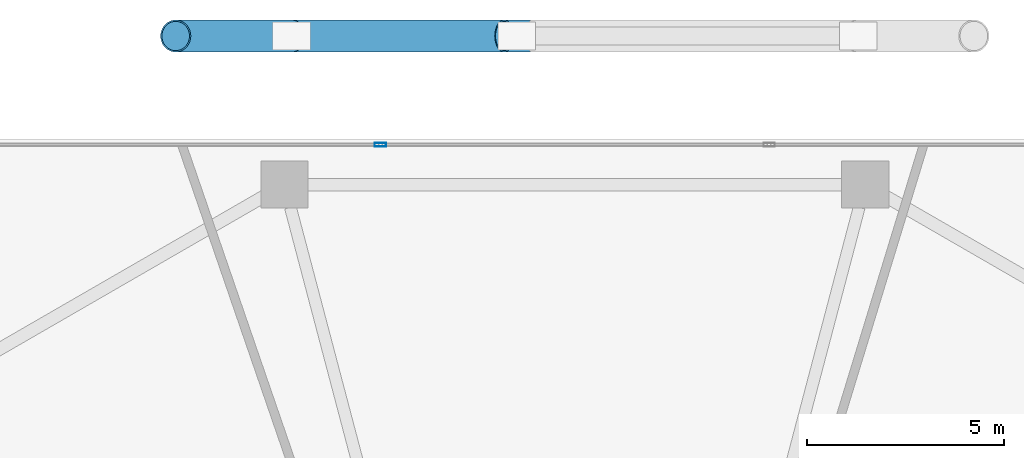
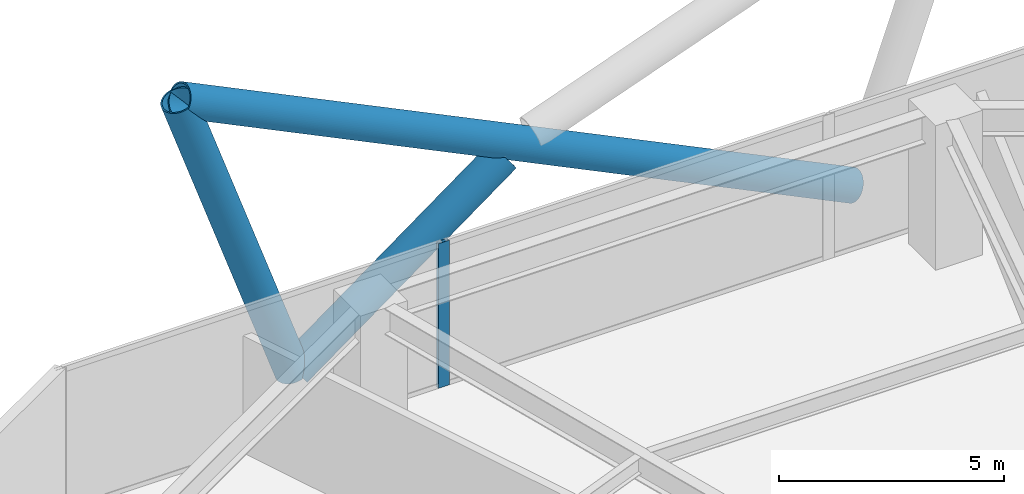
# One storey, part 17 of 28: 4 members, 1 element without a shape of its own.
"""IFC4 building model written with IfcOpenShell, lengths in metres."""

from ifc_helpers import new_model, si_unit, direction, frame, origin, origin_2d, place, context, subcontext, project, spatial, hollow_rectangle, hollow_circle, extrude, material, material_profile, profile_set, type_object, element, aggregate, save


model = new_model("IFC4")

# Units and contexts
model_context = context("Model", 3, precision=1e-05, world=origin(), true_north=direction((0.0, 1.0)))
body_context = subcontext(model_context, "Body", "Model", "MODEL_VIEW")
ifc_project = project(units=[si_unit("LENGTHUNIT", "METRE"), si_unit("AREAUNIT", "SQUARE_METRE"), si_unit("VOLUMEUNIT", "CUBIC_METRE"), si_unit("PLANEANGLEUNIT", "RADIAN"), si_unit("MASSUNIT", "GRAM", prefix="KILO")], contexts=[model_context])

# Site, building, storey
site_placement = place(None, origin())
site = spatial("IfcSite", under=ifc_project, at=site_placement, CompositionType="ELEMENT")
building_placement = place(site_placement, origin())
building = spatial("IfcBuilding", under=site, at=building_placement, Name="Zuhravey Tower", CompositionType="ELEMENT")
storey_placement = place(building_placement, frame((0.0, 0.0, 49.800048828125)))
storey = spatial("IfcBuildingStorey", under=building, at=storey_placement, Name="L12", CompositionType="ELEMENT", Elevation=49.800048828125)

# Curtain wall, member
ifc_material_1 = material(Name="Thermally broken anodised aluminium", Category="aluminium")
curtain_wall_type = type_object("IfcCurtainWallType", Name="School Low-E Unitised Curtain Wall CW1", PredefinedType="NOTDEFINED", material=ifc_material_1)
curtain_wall_placement = place(storey_placement, origin())
curtain_wall = element("IfcCurtainWall", 1, at=curtain_wall_placement, inside=storey, type_object=curtain_wall_type, Name="L12 CW1 CW-L12-F2-1", PredefinedType="NOTDEFINED")
ifc_material_2 = material(Name="Anodised aluminium", Category="aluminium")
ifc_material_profile_1 = material_profile(ifc_material_2, hollow_rectangle(XDim=0.090087890625, YDim=0.284912109375, WallThickness=0.0048828125, at=origin_2d()), Name="ALU-RHS-90x285x5")
ifc_profile_set_1 = profile_set([ifc_material_profile_1], Name="Anodised aluminium")
member_type_1 = type_object("IfcMemberType", Name="Curtain-Wall Mullion 90x180", PredefinedType="MULLION", material=ifc_profile_set_1)
member_1_placement = place(storey_placement, frame((31.06689453125, 60.95849609375, 0.0), z_axis=(0.0, 0.0, 1.0), x_axis=(0.0, 1.0, 0.0)))
member_1 = element("IfcMember", 2, at=member_1_placement, type_object=member_type_1, Name="CW1 mullion 2", PredefinedType="MULLION", context=body_context, shape_type="SweptSolid", body=[
    extrude(hollow_rectangle(XDim=0.090087890625, YDim=0.284912109375, WallThickness=0.0048828125, at=origin_2d()), origin(), (0.0, 0.0, 1.0), 3.919921875),
])
aggregate(curtain_wall, [member_1])

# Members
ifc_material_3 = material(Name="Steel SM460", Category="steel")
ifc_material_profile_2 = material_profile(ifc_material_3, hollow_circle(Radius=0.406494140625, WallThickness=0.035888671875, at=origin_2d()), Name="CHS-812.8x36")
ifc_profile_set_2 = profile_set([ifc_material_profile_2], Name="Steel SM460")
member_type_2 = type_object("IfcMemberType", Name="Exoskeleton Zone 1 Diagrid CHS813x36", PredefinedType="BRACE", material=ifc_profile_set_2)
member_2_placement = place(storey_placement, frame((43.1484375, 63.718505859375, -0.47216796875), z_axis=(-0.899864582211, 0.0, 0.436169386458), x_axis=(0.0, -1.0, 0.0)))
element("IfcMember", 3, at=member_2_placement, inside=storey, type_object=member_type_2, Name="L12 Face 2 Diagrid Brace 2", PredefinedType="BRACE", context=body_context, shape_type="SweptSolid", body=[
    extrude(hollow_circle(Radius=0.406494140625, WallThickness=0.035888671875, at=origin_2d()), origin(), (0.0, 0.0, 1.0), 19.158203125),
])
member_3_placement = place(storey_placement, frame((28.79833984375, 63.718505859375, -0.47216796875), z_axis=(-0.330634128471, 0.0, 0.94375901219), x_axis=(0.0, -1.0, 0.0)))
element("IfcMember", 4, at=member_3_placement, inside=storey, type_object=member_type_2, Name="L12 Face 2 Diagrid Brace 4", PredefinedType="BRACE", context=body_context, shape_type="SweptSolid", body=[
    extrude(hollow_circle(Radius=0.406494140625, WallThickness=0.035888671875, at=origin_2d()), origin(), (0.0, 0.0, 1.0), 8.854248046875),
])
member_4_placement = place(storey_placement, frame((28.8466796875, 63.718505859375, -0.464111328125), z_axis=(0.806163372301, 0.0, 0.59169300922), x_axis=(0.0, 1.0, 0.0)))
element("IfcMember", 5, at=member_4_placement, inside=storey, type_object=member_type_2, Name="L12 Face 2 Split Diagrid Brace 3A", PredefinedType="BRACE", context=body_context, shape_type="SweptSolid", body=[
    extrude(hollow_circle(Radius=0.406494140625, WallThickness=0.035888671875, at=origin_2d()), origin(), (0.0, 0.0, 1.0), 6.6513671875),
])

save(model, "model.ifc")
